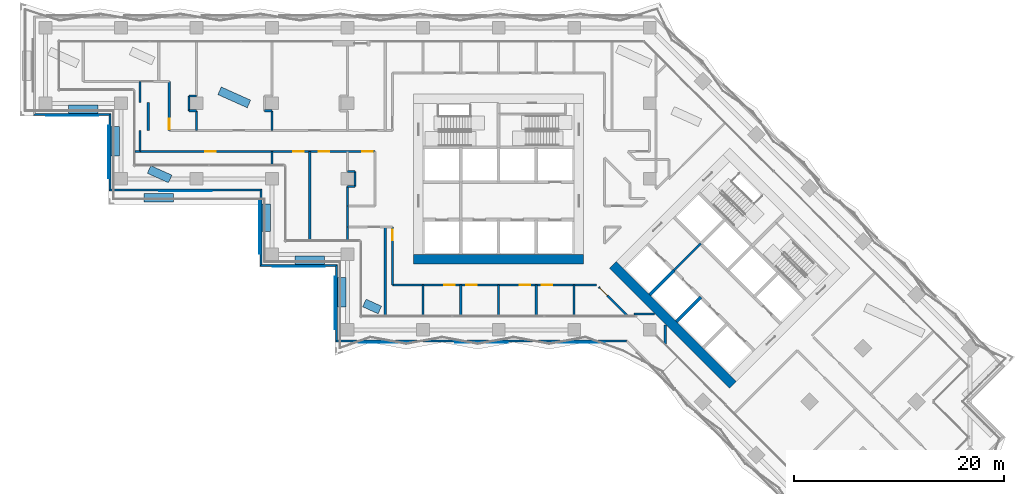
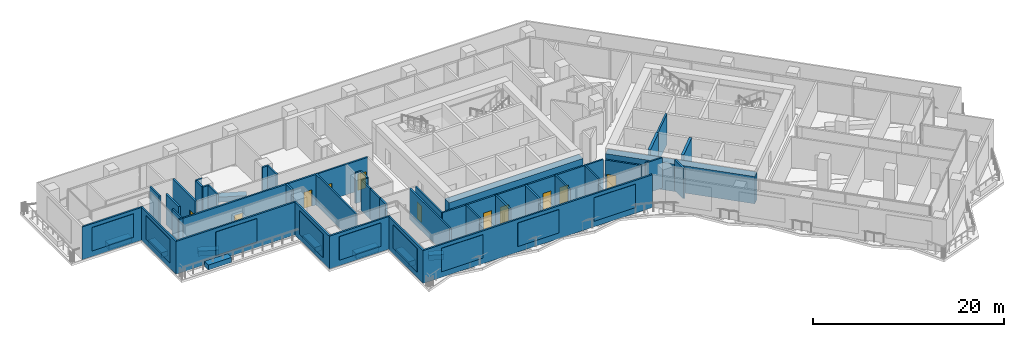
# One storey, part 13 of 24: 52 walls, 11 doors, 9 plates, 11 openings.
"""IFC4 building model written with IfcOpenShell, lengths in metres."""

from ifc_helpers import new_model, si_unit, direction, frame, frame_2d, origin, place, context, subcontext, project, spatial, polyline, rectangle, outline, extrude, material, layer, layer_set, type_object, element, fill, aggregate, save


model = new_model("IFC4")

# Units and contexts
model_context = context("Model", 3, precision=1e-05, world=origin(), true_north=direction((0.0, 1.0)))
body_context = subcontext(model_context, "Body", "Model", "MODEL_VIEW")
ifc_project = project(units=[si_unit("LENGTHUNIT", "METRE"), si_unit("AREAUNIT", "SQUARE_METRE"), si_unit("VOLUMEUNIT", "CUBIC_METRE"), si_unit("PLANEANGLEUNIT", "RADIAN"), si_unit("MASSUNIT", "GRAM", prefix="KILO")], contexts=[model_context])

# Plate
ifc_material_1 = material(Name="Aluminium louvre", Category="aluminium")
ifc_layer_1 = layer(ifc_material_1, 0.05)
ifc_layer_set_1 = layer_set([ifc_layer_1], Name="Belt louvre panel 5000x3000")
plate_type = type_object("IfcPlateType", Name="Belt louvre panel 5000x3000", PredefinedType="SHEET", material=ifc_layer_set_1)
site_placement = place(None, origin())
building_placement = place(site_placement, origin())
storey_placement = place(building_placement, frame((0.0, 0.0, 67.8)))
plate_1_placement = place(storey_placement, frame((21.65, 63.6, 0.75), z_axis=(0.0, -1.0, 0.0), x_axis=(1.0, 0.0, 0.0)))
plate_1 = element("IfcPlate", 1, at=plate_1_placement, type_object=plate_type, Name="Belt louvre panel L18 41.1", PredefinedType="SHEET", context=body_context, shape_type="SweptSolid", body=[
    extrude(outline(polyline([(0.0, 0.0), (5.0, 0.0), (5.0, 3.0), (0.0, 3.0), (0.0, 0.0)])), origin(), (0.0, 0.0, -1.0), 0.05),
])

plate_2_placement = place(storey_placement, frame((27.6, 62.65, 0.75), z_axis=(-1.0, 0.0, 0.0), x_axis=(0.0, -1.0, 0.0)))
plate_2 = element("IfcPlate", 2, at=plate_2_placement, type_object=plate_type, Name="Belt louvre panel L18 45.1", PredefinedType="SHEET", context=body_context, shape_type="SweptSolid", body=[
    extrude(outline(polyline([(0.0, 0.0), (5.0, 0.0), (5.0, 3.0), (0.0, 3.0), (0.0, 0.0)])), origin(), (0.0, 0.0, -1.0), 0.05),
])

plate_3_placement = place(storey_placement, frame((32.45, 56.4, 0.75), z_axis=(0.0, -1.0, 0.0), x_axis=(1.0, 0.0, 0.0)))
plate_3 = element("IfcPlate", 3, at=plate_3_placement, type_object=plate_type, Name="Belt louvre panel L18 49.1", PredefinedType="SHEET", context=body_context, shape_type="SweptSolid", body=[
    extrude(outline(polyline([(0.0, 0.0), (5.0, 0.0), (5.0, 3.0), (0.0, 3.0), (0.0, 0.0)])), origin(), (0.0, 0.0, -1.0), 0.05),
])

plate_4_placement = place(storey_placement, frame((42.0, 55.45, 0.75), z_axis=(-1.0, 0.0, 0.0), x_axis=(0.0, -1.0, 0.0)))
plate_4 = element("IfcPlate", 4, at=plate_4_placement, type_object=plate_type, Name="Belt louvre panel L18 53.1", PredefinedType="SHEET", context=body_context, shape_type="SweptSolid", body=[
    extrude(outline(polyline([(0.0, 0.0), (5.0, 0.0), (5.0, 3.0), (0.0, 3.0), (0.0, 0.0)])), origin(), (0.0, 0.0, -1.0), 0.05),
])

plate_5_placement = place(storey_placement, frame((43.25, 49.2, 0.75), z_axis=(0.0, -1.0, 0.0), x_axis=(1.0, 0.0, 0.0)))
plate_5 = element("IfcPlate", 5, at=plate_5_placement, type_object=plate_type, Name="Belt louvre panel L18 57.1", PredefinedType="SHEET", context=body_context, shape_type="SweptSolid", body=[
    extrude(outline(polyline([(0.0, 0.0), (5.0, 0.0), (5.0, 3.0), (0.0, 3.0), (0.0, 0.0)])), origin(), (0.0, 0.0, -1.0), 0.05),
])

plate_6_placement = place(storey_placement, frame((49.2, 48.25, 0.75), z_axis=(-1.0, 0.0, 0.0), x_axis=(0.0, -1.0, 0.0)))
plate_6 = element("IfcPlate", 6, at=plate_6_placement, type_object=plate_type, Name="Belt louvre panel L18 61.1", PredefinedType="SHEET", context=body_context, shape_type="SweptSolid", body=[
    extrude(outline(polyline([(0.0, 0.0), (5.0, 0.0), (5.0, 3.0), (0.0, 3.0), (0.0, 0.0)])), origin(), (0.0, 0.0, -1.0), 0.05),
])

plate_7_placement = place(storey_placement, frame((51.4613, 42.0, 0.75), z_axis=(0.0, -1.0, 0.0), x_axis=(1.0, 0.0, 0.0)))
plate_7 = element("IfcPlate", 7, at=plate_7_placement, type_object=plate_type, Name="Belt louvre panel L18 65.1", PredefinedType="SHEET", context=body_context, shape_type="SweptSolid", body=[
    extrude(outline(polyline([(0.0, 0.0), (5.0, 0.0), (5.0, 3.0), (0.0, 3.0), (0.0, 0.0)])), origin(), (0.0, 0.0, -1.0), 0.05),
])

plate_8_placement = place(storey_placement, frame((60.684, 42.0, 0.75), z_axis=(0.0, -1.0, 0.0), x_axis=(1.0, 0.0, 0.0)))
plate_8 = element("IfcPlate", 8, at=plate_8_placement, type_object=plate_type, Name="Belt louvre panel L18 66.2", PredefinedType="SHEET", context=body_context, shape_type="SweptSolid", body=[
    extrude(outline(polyline([(0.0, 0.0), (5.0, 0.0), (5.0, 3.0), (0.0, 3.0), (0.0, 0.0)])), origin(), (0.0, 0.0, -1.0), 0.05),
])

plate_9_placement = place(storey_placement, frame((69.9067, 42.0, 0.75), z_axis=(0.0, -1.0, 0.0), x_axis=(1.0, 0.0, 0.0)))
plate_9 = element("IfcPlate", 9, at=plate_9_placement, type_object=plate_type, Name="Belt louvre panel L18 67.3", PredefinedType="SHEET", context=body_context, shape_type="SweptSolid", body=[
    extrude(outline(polyline([(0.0, 0.0), (5.0, 0.0), (5.0, 3.0), (0.0, 3.0), (0.0, 0.0)])), origin(), (0.0, 0.0, -1.0), 0.05),
])

# Site, building, storey
site = spatial("IfcSite", under=ifc_project, at=site_placement, CompositionType="ELEMENT")
building = spatial("IfcBuilding", under=site, at=building_placement, Name="Windrow Commons", CompositionType="ELEMENT")
storey = spatial("IfcBuildingStorey", under=building, at=storey_placement, Name="L18", CompositionType="ELEMENT", Elevation=67.8)

# Wall
ifc_material_2 = material(Name="Concrete C40/50 precast screen panel", Category="concrete")
ifc_layer_2 = layer(ifc_material_2, 0.2)
ifc_layer_set_2 = layer_set([ifc_layer_2], Name="Belt screen wall 200")
wall_type_1 = type_object("IfcWallType", Name="Belt screen wall 200", PredefinedType="SOLIDWALL", material=ifc_layer_set_2)
wall_1_placement = place(storey_placement, frame((20.55, 63.75, 0.0), z_axis=(0.0, 0.0, 1.0), x_axis=(1.0, 0.0, 0.0)))
wall_1 = element("IfcWall", 10, at=wall_1_placement, inside=storey, type_object=wall_type_1, Name="Belt screen wall L18 41", PredefinedType="SOLIDWALL", context=body_context, shape_type="SweptSolid", body=[
    extrude(outline(polyline([(-0.1, -0.1), (7.1, -0.1), (7.3, 0.1), (0.1, 0.1), (-0.1, -0.1)])), origin(), (0.0, 0.0, 1.0), 4.2),
])

aggregate(wall_1, [plate_1])

wall_2_placement = place(storey_placement, frame((27.75, 63.75, 0.0), z_axis=(0.0, 0.0, 1.0), x_axis=(0.0, -1.0, 0.0)))
wall_2 = element("IfcWall", 11, at=wall_2_placement, inside=storey, type_object=wall_type_1, Name="Belt screen wall L18 45", PredefinedType="SOLIDWALL", context=body_context, shape_type="SweptSolid", body=[
    extrude(outline(polyline([(0.1, -0.1), (7.3, -0.1), (7.1, 0.1), (-0.1, 0.1), (0.1, -0.1)])), origin(), (0.0, 0.0, 1.0), 4.2),
])

aggregate(wall_2, [plate_2])

wall_3_placement = place(storey_placement, frame((27.75, 56.55, 0.0), z_axis=(0.0, 0.0, 1.0), x_axis=(1.0, 0.0, 0.0)))
wall_3 = element("IfcWall", 12, at=wall_3_placement, inside=storey, type_object=wall_type_1, Name="Belt screen wall L18 49", PredefinedType="SOLIDWALL", context=body_context, shape_type="SweptSolid", body=[
    extrude(outline(polyline([(-0.1, -0.1), (14.3, -0.1), (14.5, 0.1), (0.1, 0.1), (-0.1, -0.1)])), origin(), (0.0, 0.0, 1.0), 4.2),
])

aggregate(wall_3, [plate_3])

wall_4_placement = place(storey_placement, frame((42.15, 56.55, 0.0), z_axis=(0.0, 0.0, 1.0), x_axis=(0.0, -1.0, 0.0)))
wall_4 = element("IfcWall", 13, at=wall_4_placement, inside=storey, type_object=wall_type_1, Name="Belt screen wall L18 53", PredefinedType="SOLIDWALL", context=body_context, shape_type="SweptSolid", body=[
    extrude(outline(polyline([(0.1, -0.1), (7.3, -0.1), (7.1, 0.1), (-0.1, 0.1), (0.1, -0.1)])), origin(), (0.0, 0.0, 1.0), 4.2),
])

aggregate(wall_4, [plate_4])

wall_5_placement = place(storey_placement, frame((42.15, 49.35, 0.0), z_axis=(0.0, 0.0, 1.0), x_axis=(1.0, 0.0, 0.0)))
wall_5 = element("IfcWall", 14, at=wall_5_placement, inside=storey, type_object=wall_type_1, Name="Belt screen wall L18 57", PredefinedType="SOLIDWALL", context=body_context, shape_type="SweptSolid", body=[
    extrude(outline(polyline([(-0.1, -0.1), (7.1, -0.1), (7.3, 0.1), (0.1, 0.1), (-0.1, -0.1)])), origin(), (0.0, 0.0, 1.0), 4.2),
])

aggregate(wall_5, [plate_5])

wall_6_placement = place(storey_placement, frame((49.35, 49.35, 0.0), z_axis=(0.0, 0.0, 1.0), x_axis=(0.0, -1.0, 0.0)))
wall_6 = element("IfcWall", 15, at=wall_6_placement, inside=storey, type_object=wall_type_1, Name="Belt screen wall L18 61", PredefinedType="SOLIDWALL", context=body_context, shape_type="SweptSolid", body=[
    extrude(outline(polyline([(0.1, -0.1), (7.3, -0.1), (7.1, 0.1), (-0.1, 0.1), (0.1, -0.1)])), origin(), (0.0, 0.0, 1.0), 4.2),
])

aggregate(wall_6, [plate_6])

wall_7_placement = place(storey_placement, frame((49.35, 42.15, 0.0), z_axis=(0.0, 0.0, 1.0), x_axis=(1.0, 0.0, 0.0)))
wall_7 = element("IfcWall", 16, at=wall_7_placement, inside=storey, type_object=wall_type_1, Name="Belt screen wall L18 65", PredefinedType="SOLIDWALL", context=body_context, shape_type="SweptSolid", body=[
    extrude(outline(polyline([(-0.1, -0.1), (27.6266, -0.1), (27.7095, 0.1), (0.1, 0.1), (-0.1, -0.1)])), origin(), (0.0, 0.0, 1.0), 4.2),
])

aggregate(wall_7, [plate_7, plate_8, plate_9])

ifc_material_3 = material(Name="Blockwork partition", Category="masonry")
ifc_layer_3 = layer(ifc_material_3, 0.2)
ifc_layer_set_3 = layer_set([ifc_layer_3], Name="Fire lobby partition 200")
wall_type_2 = type_object("IfcWallType", Name="Fire lobby partition 200", PredefinedType="PARTITIONING", material=ifc_layer_set_3)
wall_8_placement = place(storey_placement, frame((81.5335, 48.8776, 0.0), z_axis=(0.0, 0.0, 1.0), x_axis=(0.707092892, 0.7071206701, 0.0)))
element("IfcWall", 17, at=wall_8_placement, inside=storey, type_object=wall_type_2, Name="W-core-lobby-B-L18", PredefinedType="PARTITIONING", context=body_context, shape_type="SweptSolid", body=[
    extrude(rectangle(XDim=3.6, YDim=0.2, at=frame_2d((1.8, 0.0))), origin(), (0.0, 0.0, 1.0), 3.9),
])

# Wall, openings, doors
ifc_material_4 = material(Name="Blockwork partition", Category="masonry")
ifc_layer_4 = layer(ifc_material_4, 0.2)
ifc_layer_set_4 = layer_set([ifc_layer_4], Name="IW-CORRIDOR-200")
wall_type_3 = type_object("IfcWallType", Name="IW-CORRIDOR-200", PredefinedType="PARTITIONING", material=ifc_layer_set_4)
wall_9_placement = place(storey_placement, frame((30.6, 60.2, 0.0), z_axis=(0.0, 0.0, 1.0), x_axis=(1.0, 0.0, 0.0)))
wall_9 = element("IfcWall", 18, at=wall_9_placement, inside=storey, type_object=wall_type_3, Name="W-L18-W000", PredefinedType="PARTITIONING", context=body_context, shape_type="SweptSolid", body=[
    extrude(rectangle(XDim=22.4, YDim=0.2, at=frame_2d((11.2, 0.0))), origin(), (0.0, 0.0, 1.0), 3.9),
])
opening_1_placement = place(wall_9_placement, frame((6.2543, 0.0, 0.0)))
opening_1 = element("IfcOpeningElement", 19, at=opening_1_placement, cuts=wall_9, Name="Opening D310F", PredefinedType="OPENING", context=body_context, shape_type="SweptSolid", body=[
    extrude(rectangle(XDim=1.0, YDim=2.1, at=frame_2d((0.5, 1.05))), frame((0.0, 0.11, 0.0), z_axis=(0.0, -1.0, 0.0), x_axis=(1.0, 0.0, 0.0)), (0.0, 0.0, 1.0), 0.22),
])
opening_2_placement = place(wall_9_placement, frame((14.6325, 0.0, 0.0)))
opening_2 = element("IfcOpeningElement", 20, at=opening_2_placement, cuts=wall_9, Name="Opening D310F", PredefinedType="OPENING", context=body_context, shape_type="SweptSolid", body=[
    extrude(rectangle(XDim=1.0, YDim=2.1, at=frame_2d((0.5, 1.05))), frame((0.0, 0.11, 0.0), z_axis=(0.0, -1.0, 0.0), x_axis=(1.0, 0.0, 0.0)), (0.0, 0.0, 1.0), 0.22),
])
opening_3_placement = place(wall_9_placement, frame((17.035, 0.0, 0.0)))
opening_3 = element("IfcOpeningElement", 21, at=opening_3_placement, cuts=wall_9, Name="Opening D310F", PredefinedType="OPENING", context=body_context, shape_type="SweptSolid", body=[
    extrude(rectangle(XDim=1.0, YDim=2.1, at=frame_2d((0.5, 1.05))), frame((0.0, 0.11, 0.0), z_axis=(0.0, -1.0, 0.0), x_axis=(1.0, 0.0, 0.0)), (0.0, 0.0, 1.0), 0.22),
])
opening_4_placement = place(wall_9_placement, frame((21.205, 0.0, 0.0)))
opening_4 = element("IfcOpeningElement", 22, at=opening_4_placement, cuts=wall_9, Name="Opening D410F", PredefinedType="OPENING", context=body_context, shape_type="SweptSolid", body=[
    extrude(rectangle(XDim=1.0, YDim=2.1, at=frame_2d((0.5, 1.05))), frame((0.0, 0.11, 0.0), z_axis=(0.0, -1.0, 0.0), x_axis=(1.0, 0.0, 0.0)), (0.0, 0.0, 1.0), 0.22),
])
ifc_material_5 = material(Name="Timber door leaf", Category="wood")
door_type_1 = type_object("IfcDoorType", Name="DT-AMENITY-1000", OperationType="SINGLE_SWING_LEFT", PredefinedType="DOOR", material=ifc_material_5)
door_1_placement = place(opening_1_placement, origin())
door_1 = element("IfcDoor", 23, at=door_1_placement, inside=storey, type_object=door_type_1, Name="D-L18-D000", OperationType="SINGLE_SWING_LEFT", OverallHeight=2.1, OverallWidth=1.0, PredefinedType="DOOR", context=body_context, shape_type="SweptSolid", body=[
    extrude(rectangle(XDim=1.0, YDim=2.1, at=frame_2d((0.5, 1.05))), frame((0.0, 0.025, 0.0), z_axis=(0.0, -1.0, 0.0), x_axis=(1.0, 0.0, 0.0)), (0.0, 0.0, 1.0), 0.05),
])
fill(opening_1, door_1)
door_2_placement = place(opening_2_placement, origin())
door_2 = element("IfcDoor", 24, at=door_2_placement, inside=storey, type_object=door_type_1, Name="D-L18-D001", OperationType="SINGLE_SWING_LEFT", OverallHeight=2.1, OverallWidth=1.0, PredefinedType="DOOR", context=body_context, shape_type="SweptSolid", body=[
    extrude(rectangle(XDim=1.0, YDim=2.1, at=frame_2d((0.5, 1.05))), frame((0.0, 0.025, 0.0), z_axis=(0.0, -1.0, 0.0), x_axis=(1.0, 0.0, 0.0)), (0.0, 0.0, 1.0), 0.05),
])
fill(opening_2, door_2)
door_3_placement = place(opening_3_placement, origin())
door_3 = element("IfcDoor", 25, at=door_3_placement, inside=storey, type_object=door_type_1, Name="D-L18-D002", OperationType="SINGLE_SWING_RIGHT", OverallHeight=2.1, OverallWidth=1.0, PredefinedType="DOOR", context=body_context, shape_type="SweptSolid", body=[
    extrude(rectangle(XDim=1.0, YDim=2.1, at=frame_2d((0.5, 1.05))), frame((0.0, 0.025, 0.0), z_axis=(0.0, -1.0, 0.0), x_axis=(1.0, 0.0, 0.0)), (0.0, 0.0, 1.0), 0.05),
])
fill(opening_3, door_3)
ifc_material_6 = material(Name="Timber door leaf", Category="wood")
door_type_2 = type_object("IfcDoorType", Name="DT-SERVICE-1000", OperationType="SINGLE_SWING_LEFT", PredefinedType="DOOR", material=ifc_material_6)
door_4_placement = place(opening_4_placement, origin())
door_4 = element("IfcDoor", 26, at=door_4_placement, inside=storey, type_object=door_type_2, Name="D-L18-D003", OperationType="SINGLE_SWING_LEFT", OverallHeight=2.1, OverallWidth=1.0, PredefinedType="DOOR", context=body_context, shape_type="SweptSolid", body=[
    extrude(rectangle(XDim=1.0, YDim=2.1, at=frame_2d((0.5, 1.05))), frame((0.0, 0.025, 0.0), z_axis=(0.0, -1.0, 0.0), x_axis=(1.0, 0.0, 0.0)), (0.0, 0.0, 1.0), 0.05),
])
fill(opening_4, door_4)

wall_10_placement = place(storey_placement, frame((54.7, 47.5, 0.0), z_axis=(0.0, 0.0, 1.0), x_axis=(1.0, 0.0, 0.0)))
wall_10 = element("IfcWall", 27, at=wall_10_placement, inside=storey, type_object=wall_type_3, Name="W-L18-W003", PredefinedType="PARTITIONING", context=body_context, shape_type="SweptSolid", body=[
    extrude(rectangle(XDim=19.442, YDim=0.2, at=frame_2d((9.721, 0.0))), origin(), (0.0, 0.0, 1.0), 3.9),
])
opening_5_placement = place(wall_10_placement, frame((4.9325, 0.0, 0.0)))
opening_5 = element("IfcOpeningElement", 28, at=opening_5_placement, cuts=wall_10, Name="Opening D310F", PredefinedType="OPENING", context=body_context, shape_type="SweptSolid", body=[
    extrude(rectangle(XDim=1.0, YDim=2.1, at=frame_2d((0.5, 1.05))), frame((0.0, 0.11, 0.0), z_axis=(0.0, -1.0, 0.0), x_axis=(1.0, 0.0, 0.0)), (0.0, 0.0, 1.0), 0.22),
])
opening_6_placement = place(wall_10_placement, frame((7.0075, 0.0, 0.0)))
opening_6 = element("IfcOpeningElement", 29, at=opening_6_placement, cuts=wall_10, Name="Opening D310F", PredefinedType="OPENING", context=body_context, shape_type="SweptSolid", body=[
    extrude(rectangle(XDim=1.0, YDim=2.1, at=frame_2d((0.5, 1.05))), frame((0.0, 0.11, 0.0), z_axis=(0.0, -1.0, 0.0), x_axis=(1.0, 0.0, 0.0)), (0.0, 0.0, 1.0), 0.22),
])
opening_7_placement = place(wall_10_placement, frame((12.1325, 0.0, 0.0)))
opening_7 = element("IfcOpeningElement", 30, at=opening_7_placement, cuts=wall_10, Name="Opening D310F", PredefinedType="OPENING", context=body_context, shape_type="SweptSolid", body=[
    extrude(rectangle(XDim=1.0, YDim=2.1, at=frame_2d((0.5, 1.05))), frame((0.0, 0.11, 0.0), z_axis=(0.0, -1.0, 0.0), x_axis=(1.0, 0.0, 0.0)), (0.0, 0.0, 1.0), 0.22),
])
opening_8_placement = place(wall_10_placement, frame((14.2075, 0.0, 0.0)))
opening_8 = element("IfcOpeningElement", 31, at=opening_8_placement, cuts=wall_10, Name="Opening D310F", PredefinedType="OPENING", context=body_context, shape_type="SweptSolid", body=[
    extrude(rectangle(XDim=1.0, YDim=2.1, at=frame_2d((0.5, 1.05))), frame((0.0, 0.11, 0.0), z_axis=(0.0, -1.0, 0.0), x_axis=(1.0, 0.0, 0.0)), (0.0, 0.0, 1.0), 0.22),
])
door_5_placement = place(opening_5_placement, origin())
door_5 = element("IfcDoor", 32, at=door_5_placement, inside=storey, type_object=door_type_1, Name="D-L18-D006", OperationType="SINGLE_SWING_LEFT", OverallHeight=2.1, OverallWidth=1.0, PredefinedType="DOOR", context=body_context, shape_type="SweptSolid", body=[
    extrude(rectangle(XDim=1.0, YDim=2.1, at=frame_2d((0.5, 1.05))), frame((0.0, 0.025, 0.0), z_axis=(0.0, -1.0, 0.0), x_axis=(1.0, 0.0, 0.0)), (0.0, 0.0, 1.0), 0.05),
])
fill(opening_5, door_5)
door_6_placement = place(opening_6_placement, origin())
door_6 = element("IfcDoor", 33, at=door_6_placement, inside=storey, type_object=door_type_1, Name="D-L18-D007", OperationType="SINGLE_SWING_RIGHT", OverallHeight=2.1, OverallWidth=1.0, PredefinedType="DOOR", context=body_context, shape_type="SweptSolid", body=[
    extrude(rectangle(XDim=1.0, YDim=2.1, at=frame_2d((0.5, 1.05))), frame((0.0, 0.025, 0.0), z_axis=(0.0, -1.0, 0.0), x_axis=(1.0, 0.0, 0.0)), (0.0, 0.0, 1.0), 0.05),
])
fill(opening_6, door_6)
door_7_placement = place(opening_7_placement, origin())
door_7 = element("IfcDoor", 34, at=door_7_placement, inside=storey, type_object=door_type_1, Name="D-L18-D008", OperationType="SINGLE_SWING_LEFT", OverallHeight=2.1, OverallWidth=1.0, PredefinedType="DOOR", context=body_context, shape_type="SweptSolid", body=[
    extrude(rectangle(XDim=1.0, YDim=2.1, at=frame_2d((0.5, 1.05))), frame((0.0, 0.025, 0.0), z_axis=(0.0, -1.0, 0.0), x_axis=(1.0, 0.0, 0.0)), (0.0, 0.0, 1.0), 0.05),
])
fill(opening_7, door_7)
door_8_placement = place(opening_8_placement, origin())
door_8 = element("IfcDoor", 35, at=door_8_placement, inside=storey, type_object=door_type_1, Name="D-L18-D009", OperationType="SINGLE_SWING_RIGHT", OverallHeight=2.1, OverallWidth=1.0, PredefinedType="DOOR", context=body_context, shape_type="SweptSolid", body=[
    extrude(rectangle(XDim=1.0, YDim=2.1, at=frame_2d((0.5, 1.05))), frame((0.0, 0.025, 0.0), z_axis=(0.0, -1.0, 0.0), x_axis=(1.0, 0.0, 0.0)), (0.0, 0.0, 1.0), 0.05),
])
fill(opening_8, door_8)

# Wall, opening, door
wall_11_placement = place(storey_placement, frame((54.7, 47.5, 0.0), z_axis=(0.0, 0.0, 1.0), x_axis=(0.0, 1.0, 0.0)))
wall_11 = element("IfcWall", 36, at=wall_11_placement, inside=storey, type_object=wall_type_3, Name="W-L18-W017", PredefinedType="PARTITIONING", context=body_context, shape_type="SweptSolid", body=[
    extrude(rectangle(XDim=5.5, YDim=0.2, at=frame_2d((2.75, 0.0))), origin(), (0.0, 0.0, 1.0), 3.9),
])
opening_9_placement = place(wall_11_placement, frame((4.2446, 0.0, 0.0)))
opening_9 = element("IfcOpeningElement", 37, at=opening_9_placement, cuts=wall_11, Name="Opening D310F", PredefinedType="OPENING", context=body_context, shape_type="SweptSolid", body=[
    extrude(rectangle(XDim=1.0, YDim=2.1, at=frame_2d((0.5, 1.05))), frame((0.0, 0.11, 0.0), z_axis=(0.0, -1.0, 0.0), x_axis=(1.0, 0.0, 0.0)), (0.0, 0.0, 1.0), 0.22),
])
door_9_placement = place(opening_9_placement, origin())
door_9 = element("IfcDoor", 38, at=door_9_placement, inside=storey, type_object=door_type_1, Name="D-L18-D005", OperationType="SINGLE_SWING_RIGHT", OverallHeight=2.1, OverallWidth=1.0, PredefinedType="DOOR", context=body_context, shape_type="SweptSolid", body=[
    extrude(rectangle(XDim=1.0, YDim=2.1, at=frame_2d((0.5, 1.05))), frame((0.0, 0.025, 0.0), z_axis=(0.0, -1.0, 0.0), x_axis=(1.0, 0.0, 0.0)), (0.0, 0.0, 1.0), 0.05),
])
fill(opening_9, door_9)

wall_12_placement = place(storey_placement, frame((33.4, 62.202, 0.0), z_axis=(0.0, 0.0, 1.0), x_axis=(0.0, 1.0, 0.0)))
wall_12 = element("IfcWall", 39, at=wall_12_placement, inside=storey, type_object=wall_type_3, Name="W-L18-W027", PredefinedType="PARTITIONING", context=body_context, shape_type="SweptSolid", body=[
    extrude(rectangle(XDim=4.698, YDim=0.2, at=frame_2d((2.349, 0.0))), origin(), (0.0, 0.0, 1.0), 3.9),
])
opening_10_placement = place(wall_12_placement, frame((0.1425, 0.0, 0.0)))
opening_10 = element("IfcOpeningElement", 40, at=opening_10_placement, cuts=wall_12, Name="Opening D310F", PredefinedType="OPENING", context=body_context, shape_type="SweptSolid", body=[
    extrude(rectangle(XDim=1.0, YDim=2.1, at=frame_2d((0.5, 1.05))), frame((0.0, 0.11, 0.0), z_axis=(0.0, -1.0, 0.0), x_axis=(1.0, 0.0, 0.0)), (0.0, 0.0, 1.0), 0.22),
])
door_10_placement = place(opening_10_placement, origin())
door_10 = element("IfcDoor", 41, at=door_10_placement, inside=storey, type_object=door_type_1, Name="D-L18-D013", OperationType="SINGLE_SWING_LEFT", OverallHeight=2.1, OverallWidth=1.0, PredefinedType="DOOR", context=body_context, shape_type="SweptSolid", body=[
    extrude(rectangle(XDim=1.0, YDim=2.1, at=frame_2d((0.5, 1.05))), frame((0.0, 0.025, 0.0), z_axis=(0.0, -1.0, 0.0), x_axis=(1.0, 0.0, 0.0)), (0.0, 0.0, 1.0), 0.05),
])
fill(opening_10, door_10)

wall_13_placement = place(storey_placement, frame((74.3393, 47.2973, 0.0), z_axis=(0.0, 0.0, 1.0), x_axis=(0.7071067812, -0.7071067812, 0.0)))
wall_13 = element("IfcWall", 42, at=wall_13_placement, inside=storey, type_object=wall_type_3, Name="W-L18-W033", PredefinedType="PARTITIONING", context=body_context, shape_type="SweptSolid", body=[
    extrude(rectangle(XDim=3.9174, YDim=0.2, at=frame_2d((1.9587, 0.0))), origin(), (0.0, 0.0, 1.0), 3.9),
])
opening_11_placement = place(wall_13_placement, frame((0.1654, 0.0, 0.0)))
opening_11 = element("IfcOpeningElement", 43, at=opening_11_placement, cuts=wall_13, Name="Opening D310F", PredefinedType="OPENING", context=body_context, shape_type="SweptSolid", body=[
    extrude(rectangle(XDim=1.0, YDim=2.1, at=frame_2d((0.5, 1.05))), frame((0.0, 0.11, 0.0), z_axis=(0.0, -1.0, 0.0), x_axis=(1.0, 0.0, 0.0)), (0.0, 0.0, 1.0), 0.22),
])
door_11_placement = place(opening_11_placement, origin())
door_11 = element("IfcDoor", 44, at=door_11_placement, inside=storey, type_object=door_type_1, Name="D-L18-D010", OperationType="SINGLE_SWING_LEFT", OverallHeight=2.1, OverallWidth=1.0, PredefinedType="DOOR", context=body_context, shape_type="SweptSolid", body=[
    extrude(rectangle(XDim=1.0, YDim=2.1, at=frame_2d((0.5, 1.05))), frame((0.0, 0.025, 0.0), z_axis=(0.0, -1.0, 0.0), x_axis=(1.0, 0.0, 0.0)), (0.0, 0.0, 1.0), 0.05),
])
fill(opening_11, door_11)

# Walls
wall_14_placement = place(storey_placement, frame((31.4, 62.202, 0.0), z_axis=(0.0, 0.0, 1.0), x_axis=(0.0, 1.0, 0.0)))
element("IfcWall", 45, at=wall_14_placement, inside=storey, type_object=wall_type_3, Name="W-L18-W051", PredefinedType="PARTITIONING", context=body_context, shape_type="SweptSolid", body=[
    extrude(rectangle(XDim=2.696, YDim=0.2, at=frame_2d((1.348, 0.0))), origin(), (0.0, 0.0, 1.0), 3.9),
])
for number, where, z_axis, x_axis, name in (
    (46, (30.6, 60.2, 0.0), (0.0, 0.0, 1.0), (0.0, 1.0, 0.0), "W-L18-W055"),
    (47, (30.6, 64.9, 0.0), (0.0, 0.0, 1.0), (0.0, 1.0, 0.0), "W-L18-W056"),
    (48, (50.4, 53.0, 0.0), (0.0, 0.0, 1.0), (0.0, 1.0, 0.0), "W-L18-W057"),
):
    element("IfcWall", number, at=place(storey_placement, frame(where, z_axis=z_axis, x_axis=x_axis)), inside=storey, type_object=wall_type_3, Name=name, PredefinedType="PARTITIONING", context=body_context, shape_type="SweptSolid", body=[
        extrude(rectangle(XDim=2.0, YDim=0.2, at=frame_2d((1.0, 0.0))), origin(), (0.0, 0.0, 1.0), 3.9),
    ])
wall_15_placement = place(storey_placement, frame((77.702, 44.7, 0.0), z_axis=(0.0, 0.0, 1.0), x_axis=(1.0, 0.0, 0.0)))
element("IfcWall", 49, at=wall_15_placement, inside=storey, type_object=wall_type_3, Name="W-L18-W059", PredefinedType="PARTITIONING", context=body_context, shape_type="SweptSolid", body=[
    extrude(rectangle(XDim=1.956, YDim=0.2, at=frame_2d((0.978, 0.0))), origin(), (0.0, 0.0, 1.0), 3.9),
])
wall_16_placement = place(storey_placement, frame((80.7, 41.834, 0.0), z_axis=(0.0, 0.0, 1.0), x_axis=(0.0, 1.0, 0.0)))
element("IfcWall", 50, at=wall_16_placement, inside=storey, type_object=wall_type_3, Name="W-L18-W066", PredefinedType="PARTITIONING", context=body_context, shape_type="SweptSolid", body=[
    extrude(rectangle(XDim=1.824, YDim=0.2, at=frame_2d((0.912, 0.0))), origin(), (0.0, 0.0, 1.0), 3.9),
])
ifc_material_7 = material(Name="Blockwork partition", Category="masonry")
ifc_layer_5 = layer(ifc_material_7, 0.2)
ifc_layer_set_5 = layer_set([ifc_layer_5], Name="IW-PARTY-200")
wall_type_4 = type_object("IfcWallType", Name="IW-PARTY-200", PredefinedType="PARTITIONING", material=ifc_layer_set_5)
for number, where, z_axis, x_axis, name in (
    (51, (46.8, 51.73, 0.0), (0.0, 0.0, 1.0), (0.0, 1.0, 0.0), "W-L18-W007"),
    (52, (54.0, 44.53, 0.0), (0.0, 0.0, 1.0), (0.0, 1.0, 0.0), "W-L18-W008"),
):
    element("IfcWall", number, at=place(storey_placement, frame(where, z_axis=z_axis, x_axis=x_axis)), inside=storey, type_object=wall_type_4, Name=name, PredefinedType="PARTITIONING", context=body_context, shape_type="SweptSolid", body=[
        extrude(rectangle(XDim=8.47, YDim=0.2, at=frame_2d((4.235, 0.0))), origin(), (0.0, 0.0, 1.0), 3.9),
    ])
for number, where, z_axis, x_axis, name in (
    (53, (57.6, 44.53, 0.0), (0.0, 0.0, 1.0), (0.0, 1.0, 0.0), "W-L18-W040"),
    (54, (61.2, 44.53, 0.0), (0.0, 0.0, 1.0), (0.0, 1.0, 0.0), "W-L18-W042"),
    (55, (64.8, 44.53, 0.0), (0.0, 0.0, 1.0), (0.0, 1.0, 0.0), "W-L18-W044"),
    (56, (68.4, 44.53, 0.0), (0.0, 0.0, 1.0), (0.0, 1.0, 0.0), "W-L18-W046"),
    (57, (72.0, 44.53, 0.0), (0.0, 0.0, 1.0), (0.0, 1.0, 0.0), "W-L18-W048"),
):
    element("IfcWall", number, at=place(storey_placement, frame(where, z_axis=z_axis, x_axis=x_axis)), inside=storey, type_object=wall_type_4, Name=name, PredefinedType="PARTITIONING", context=body_context, shape_type="SweptSolid", body=[
        extrude(rectangle(XDim=2.97, YDim=0.2, at=frame_2d((1.485, 0.0))), origin(), (0.0, 0.0, 1.0), 3.9),
    ])
for number, where, z_axis, x_axis, name in (
    (58, (36.0, 62.2, 0.0), (0.0, 0.0, 1.0), (0.0, 1.0, 0.0), "W-L18-W061"),
    (59, (43.2, 62.2, 0.0), (0.0, 0.0, 1.0), (0.0, 1.0, 0.0), "W-L18-W062"),
):
    element("IfcWall", number, at=place(storey_placement, frame(where, z_axis=z_axis, x_axis=x_axis)), inside=storey, type_object=wall_type_4, Name=name, PredefinedType="PARTITIONING", context=body_context, shape_type="SweptSolid", body=[
        extrude(rectangle(XDim=1.896, YDim=0.2, at=frame_2d((0.948, 0.0))), origin(), (0.0, 0.0, 1.0), 3.9),
    ])
wall_17_placement = place(storey_placement, frame((50.4, 55.0, 0.0), z_axis=(0.0, 0.0, 1.0), x_axis=(0.0, 1.0, 0.0)))
element("IfcWall", 60, at=wall_17_placement, inside=storey, type_object=wall_type_4, Name="W-L18-W065", PredefinedType="PARTITIONING", context=body_context, shape_type="SweptSolid", body=[
    extrude(rectangle(XDim=1.894, YDim=0.2, at=frame_2d((0.947, 0.0))), origin(), (0.0, 0.0, 1.0), 3.9),
])
wall_18_placement = place(storey_placement, frame((51.1, 56.894, 0.0), z_axis=(0.0, 0.0, 1.0), x_axis=(0.0, 1.0, 0.0)))
element("IfcWall", 61, at=wall_18_placement, inside=storey, type_object=wall_type_4, Name="W-L18-W074", PredefinedType="PARTITIONING", context=body_context, shape_type="SweptSolid", body=[
    extrude(rectangle(XDim=1.412, YDim=0.2, at=frame_2d((0.706, 0.0))), origin(), (0.0, 0.0, 1.0), 3.9),
])
wall_19_placement = place(storey_placement, frame((35.3, 64.096, 0.0), z_axis=(0.0, 0.0, 1.0), x_axis=(0.0, 1.0, 0.0)))
element("IfcWall", 62, at=wall_19_placement, inside=storey, type_object=wall_type_4, Name="W-L18-W077", PredefinedType="PARTITIONING", context=body_context, shape_type="SweptSolid", body=[
    extrude(rectangle(XDim=1.408, YDim=0.2, at=frame_2d((0.704, 0.0))), origin(), (0.0, 0.0, 1.0), 3.9),
])
for number, where, z_axis, x_axis, name in (
    (63, (43.2, 58.93, 0.0), (0.0, 0.0, 1.0), (0.0, 1.0, 0.0), "W-L18-W080"),
    (64, (50.4, 51.73, 0.0), (0.0, 0.0, 1.0), (0.0, 1.0, 0.0), "W-L18-W081"),
):
    element("IfcWall", number, at=place(storey_placement, frame(where, z_axis=z_axis, x_axis=x_axis)), inside=storey, type_object=wall_type_4, Name=name, PredefinedType="PARTITIONING", context=body_context, shape_type="SweptSolid", body=[
        extrude(rectangle(XDim=1.27, YDim=0.2, at=frame_2d((0.635, 0.0))), origin(), (0.0, 0.0, 1.0), 3.9),
    ])
for number, where, z_axis, x_axis, name in (
    (65, (35.3, 65.5, 0.0), (0.0, 0.0, 1.0), (1.0, 0.0, 0.0), "W-L18-W088"),
    (66, (35.3, 64.1, 0.0), (0.0, 0.0, 1.0), (1.0, 0.0, 0.0), "W-L18-W090"),
    (67, (42.5, 64.1, 0.0), (0.0, 0.0, 1.0), (1.0, 0.0, 0.0), "W-L18-W091"),
    (68, (50.4, 58.31, 0.0), (0.0, 0.0, 1.0), (1.0, 0.0, 0.0), "W-L18-W092"),
    (69, (50.4, 56.89, 0.0), (0.0, 0.0, 1.0), (1.0, 0.0, 0.0), "W-L18-W093"),
):
    element("IfcWall", number, at=place(storey_placement, frame(where, z_axis=z_axis, x_axis=x_axis)), inside=storey, type_object=wall_type_4, Name=name, PredefinedType="PARTITIONING", context=body_context, shape_type="SweptSolid", body=[
        extrude(rectangle(XDim=0.7, YDim=0.2, at=frame_2d((0.35, 0.0))), origin(), (0.0, 0.0, 1.0), 3.9),
    ])
wall_20_placement = place(storey_placement, frame((30.13, 60.2, 0.0), z_axis=(0.0, 0.0, 1.0), x_axis=(1.0, 0.0, 0.0)))
element("IfcWall", 70, at=wall_20_placement, inside=storey, type_object=wall_type_4, Name="W-L18-W097", PredefinedType="PARTITIONING", context=body_context, shape_type="SweptSolid", body=[
    extrude(rectangle(XDim=0.47, YDim=0.2, at=frame_2d((0.235, 0.0))), origin(), (0.0, 0.0, 1.0), 3.9),
])
ifc_material_8 = material(Name="Concrete C30/37 planter wall", Category="concrete")
ifc_layer_6 = layer(ifc_material_8, 0.8)
ifc_layer_set_6 = layer_set([ifc_layer_6], Name="Planter 800x600")
wall_type_5 = type_object("IfcWallType", Name="Planter 800x600", PredefinedType="SOLIDWALL", material=ifc_layer_set_6)
for number, where, z_axis, x_axis, name in (
    (71, (23.8, 64.25, 0.0), (0.0, 0.0, 1.0), (1.0, 0.0, 0.0), "PLANTER TR-L18-1.36"),
    (72, (28.25, 62.6, 0.0), (0.0, 0.0, 1.0), (0.0, -1.0, 0.0), "PLANTER TR-L18-1.37"),
    (73, (31.0, 55.817, 0.0), (0.0, 0.0, 1.0), (1.0, 0.0, 0.0), "PLANTER TR-L18-1.38"),
):
    element("IfcWall", number, at=place(storey_placement, frame(where, z_axis=z_axis, x_axis=x_axis)), inside=storey, type_object=wall_type_5, Name=name, PredefinedType="SOLIDWALL", context=body_context, shape_type="SweptSolid", body=[
        extrude(rectangle(XDim=2.8, YDim=0.8, at=frame_2d((1.4, 0.0))), origin(), (0.0, 0.0, 1.0), 0.65),
    ])
wall_21_placement = place(storey_placement, frame((42.65, 55.217, 0.0), z_axis=(0.0, 0.0, 1.0), x_axis=(0.0, -1.0, 0.0)))
element("IfcWall", 74, at=wall_21_placement, inside=storey, type_object=wall_type_5, Name="PLANTER TR-L18-1.39", PredefinedType="SOLIDWALL", context=body_context, shape_type="SweptSolid", body=[
    extrude(rectangle(XDim=2.617, YDim=0.8, at=frame_2d((1.3085, 0.0))), origin(), (0.0, 0.0, 1.0), 0.65),
])
for number, where, z_axis, x_axis, name in (
    (75, (45.4, 49.85, 0.0), (0.0, 0.0, 1.0), (1.0, 0.0, 0.0), "PLANTER TR-L18-1.40"),
    (76, (49.85, 48.2, 0.0), (0.0, 0.0, 1.0), (0.0, -1.0, 0.0), "PLANTER TR-L18-1.41"),
):
    element("IfcWall", number, at=place(storey_placement, frame(where, z_axis=z_axis, x_axis=x_axis)), inside=storey, type_object=wall_type_5, Name=name, PredefinedType="SOLIDWALL", context=body_context, shape_type="SweptSolid", body=[
        extrude(rectangle(XDim=2.8, YDim=0.8, at=frame_2d((1.4, 0.0))), origin(), (0.0, 0.0, 1.0), 0.65),
    ])
wall_22_placement = place(storey_placement, frame((41.0, 64.7444, 0.0), z_axis=(0.0, 0.0, 1.0), x_axis=(-0.9121164493, 0.4099311928, 0.0)))
element("IfcWall", 77, at=wall_22_placement, inside=storey, type_object=wall_type_5, Name="PLANTER TR-L18-1 bed 11", PredefinedType="SOLIDWALL", context=body_context, shape_type="SweptSolid", body=[
    extrude(rectangle(XDim=3.0698, YDim=0.8, at=frame_2d((1.5349, 0.0))), origin(), (0.0, 0.0, 1.0), 0.65),
])
wall_23_placement = place(storey_placement, frame((33.4905, 57.5945, 0.0), z_axis=(0.0, 0.0, 1.0), x_axis=(-0.9121179196, 0.4099279215, 0.0)))
element("IfcWall", 78, at=wall_23_placement, inside=storey, type_object=wall_type_5, Name="PLANTER TR-L18-1 bed 21", PredefinedType="SOLIDWALL", context=body_context, shape_type="SweptSolid", body=[
    extrude(rectangle(XDim=2.2089, YDim=0.8, at=frame_2d((1.1044, 0.0))), origin(), (0.0, 0.0, 1.0), 0.65),
])
wall_24_placement = place(storey_placement, frame((53.48, 45.1019, 0.0), z_axis=(0.0, 0.0, 1.0), x_axis=(-0.9121191364, 0.4099252139, 0.0)))
element("IfcWall", 79, at=wall_24_placement, inside=storey, type_object=wall_type_5, Name="PLANTER TR-L18-1 bed 23", PredefinedType="SOLIDWALL", context=body_context, shape_type="SweptSolid", body=[
    extrude(rectangle(XDim=1.6181, YDim=0.8, at=frame_2d((0.8091, 0.0))), origin(), (0.0, 0.0, 1.0), 0.65),
])
ifc_material_9 = material(Name="Concrete C60/75", Category="concrete")
ifc_layer_7 = layer(ifc_material_9, 0.9)
ifc_layer_set_7 = layer_set([ifc_layer_7], Name="RC CORE WALL 900 C60/75")
wall_type_6 = type_object("IfcWallType", Name="RC CORE WALL 900 C60/75", PredefinedType="SHEAR", material=ifc_layer_set_7)
for number, where, z_axis, x_axis, name in (
    (80, (56.7, 49.95, -0.3), (0.0, 0.0, 1.0), (1.0, 0.0, 0.0), "Core A wall outer-S"),
    (81, (75.6998, 49.4079, -0.3), (0.0, 0.0, 1.0), (0.7071098676, -0.7071036948, 0.0), "Core B wall outer-S"),
):
    element("IfcWall", number, at=place(storey_placement, frame(where, z_axis=z_axis, x_axis=x_axis)), inside=storey, type_object=wall_type_6, Name=name, PredefinedType="SHEAR", context=body_context, shape_type="SweptSolid", body=[
        extrude(rectangle(XDim=16.2, YDim=0.9, at=frame_2d((8.1, 0.0))), origin(), (0.0, 0.0, 1.0), 3.5),
    ])
ifc_material_10 = material(Name="Concrete C60/75", Category="concrete")
ifc_layer_8 = layer(ifc_material_10, 0.3)
ifc_layer_set_8 = layer_set([ifc_layer_8], Name="RC SHAFT WALL 300 C60/75")
wall_type_7 = type_object("IfcWallType", Name="RC SHAFT WALL 300 C60/75", PredefinedType="SOLIDWALL", material=ifc_layer_set_8)
wall_25_placement = place(storey_placement, frame((79.2, 46.5442, 0.0), z_axis=(0.0, 0.0, 1.0), x_axis=(0.7071219326, 0.7070916295, 0.0)))
element("IfcWall", 82, at=wall_25_placement, inside=storey, type_object=wall_type_7, Name="Core B wall shaft-S1", PredefinedType="SOLIDWALL", context=body_context, shape_type="SweptSolid", body=[
    extrude(rectangle(XDim=3.3, YDim=0.3, at=frame_2d((1.65, 0.0))), origin(), (0.0, 0.0, 1.0), 3.9),
])
wall_26_placement = place(storey_placement, frame((81.7456, 43.9986, 0.0), z_axis=(0.0, 0.0, 1.0), x_axis=(0.7071067812, 0.7071067812, 0.0)))
element("IfcWall", 83, at=wall_26_placement, inside=storey, type_object=wall_type_7, Name="Core B wall shaft-S2", PredefinedType="SOLIDWALL", context=body_context, shape_type="SweptSolid", body=[
    extrude(rectangle(XDim=3.2999, YDim=0.3, at=frame_2d((1.65, 0.0))), origin(), (0.0, 0.0, 1.0), 3.9),
])

save(model, "model.ifc")
